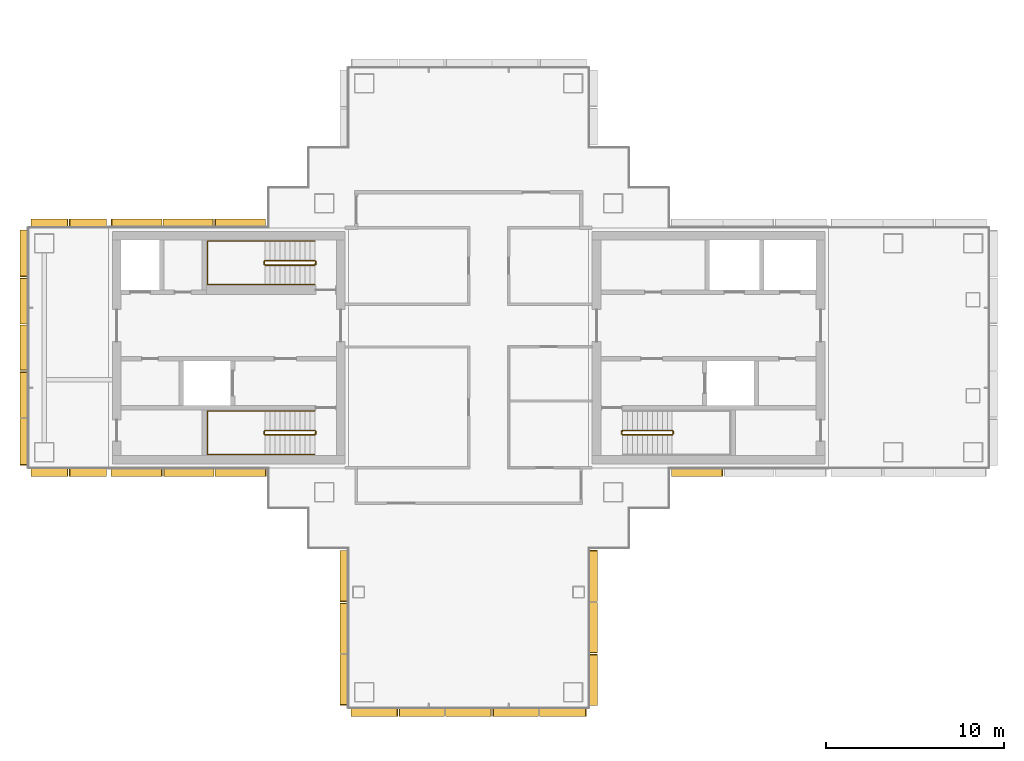
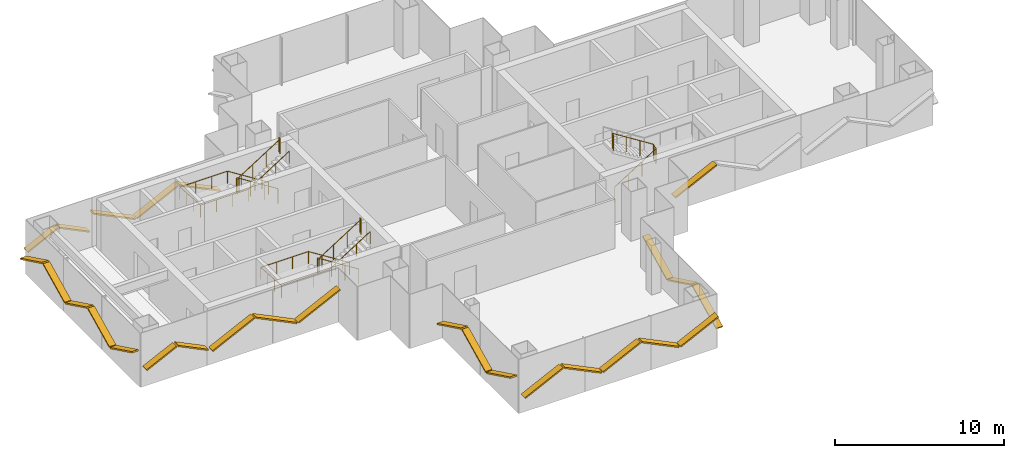
# One storey, part 14 of 16: 27 shading devices, 5 railings.
"""IFC4 building model written with IfcOpenShell, lengths in metres."""

from ifc_helpers import new_model, si_unit, direction, frame, origin, origin_2d, place, context, subcontext, project, spatial, rectangle, circle, extrude, material, material_profile, profile_set, type_object, element, save


model = new_model("IFC4")

# Units and contexts
model_context = context("Model", 3, precision=1e-05, world=origin(), true_north=direction((0.0, 1.0)))
body_context = subcontext(model_context, "Body", "Model", "MODEL_VIEW")
ifc_project = project(units=[si_unit("LENGTHUNIT", "METRE"), si_unit("AREAUNIT", "SQUARE_METRE"), si_unit("VOLUMEUNIT", "CUBIC_METRE"), si_unit("PLANEANGLEUNIT", "RADIAN"), si_unit("MASSUNIT", "GRAM", prefix="KILO")], contexts=[model_context])

# Site, building, storey
site_placement = place(None, origin())
site = spatial("IfcSite", under=ifc_project, at=site_placement, CompositionType="ELEMENT")
building_placement = place(site_placement, origin())
building = spatial("IfcBuilding", under=site, at=building_placement, Name="Shamsa Quay Exchange Towers", CompositionType="ELEMENT")
storey_placement = place(building_placement, frame((0.0, 0.0, 146.699951171875)))
storey = spatial("IfcBuildingStorey", under=building, at=storey_placement, Name="L34", CompositionType="ELEMENT", Elevation=146.699951171875)

# Shading devices
ifc_material_1 = material(Name="Aluminium EN AW-6063 T6, black anodised", Category="aluminium")
ifc_material_profile = material_profile(ifc_material_1, rectangle(XDim=0.449951171875, YDim=0.10009765625, at=origin_2d()), Name="FIN450x100")
ifc_profile_set = profile_set([ifc_material_profile], Name="Aluminium EN AW-6063 T6, black anodised")
shading_device_type = type_object("IfcShadingDeviceType", Name="FIN 450x100 BLACK ALUMINIUM", PredefinedType="USERDEFINED", material=ifc_profile_set)
shading_device_1_placement = place(storey_placement, frame((-40.764892578125, -11.43798828125, 0.908203125), z_axis=(0.0, -0.898807091918, 0.438344398296), x_axis=(1.0, 0.0, 0.0)))
element("IfcShadingDevice", 1, at=shading_device_1_placement, inside=storey, type_object=shading_device_type, Name="FIN T1 chevron rib", ObjectType="FIN", PredefinedType="USERDEFINED", context=body_context, shape_type="SweptSolid", body=[
    extrude(rectangle(XDim=0.449951171875, YDim=0.10009765625, at=origin_2d()), origin(), (0.0, 0.0, 1.0), 3.15673828125),
])
shading_device_2_placement = place(storey_placement, frame((-40.764892578125, -14.375244140625, 2.27978515625), z_axis=(0.0, -0.898807785805, -0.438342975507), x_axis=(1.0, 0.0, 0.0)))
element("IfcShadingDevice", 2, at=shading_device_2_placement, inside=storey, type_object=shading_device_type, Name="FIN T1 chevron rib", ObjectType="FIN", PredefinedType="USERDEFINED", context=body_context, shape_type="SweptSolid", body=[
    extrude(rectangle(XDim=0.449951171875, YDim=0.10009765625, at=origin_2d()), origin(), (0.0, 0.0, 1.0), 3.10107421875),
])
shading_device_3_placement = place(storey_placement, frame((-40.764892578125, -17.2626953125, 0.908203125), z_axis=(0.0, -0.898807091918, 0.438344398296), x_axis=(1.0, 0.0, 0.0)))
element("IfcShadingDevice", 3, at=shading_device_3_placement, inside=storey, type_object=shading_device_type, Name="FIN T1 chevron rib", ObjectType="FIN", PredefinedType="USERDEFINED", context=body_context, shape_type="SweptSolid", body=[
    extrude(rectangle(XDim=0.449951171875, YDim=0.10009765625, at=origin_2d()), origin(), (0.0, 0.0, 1.0), 3.15673828125),
])
shading_device_4_placement = place(storey_placement, frame((-40.35009765625, -20.514892578125, 0.968505859375), z_axis=(0.898805897141, 0.0, 0.43834684813), x_axis=(0.0, 1.0, 0.0)))
element("IfcShadingDevice", 4, at=shading_device_4_placement, inside=storey, type_object=shading_device_type, Name="FIN T1 chevron rib", ObjectType="FIN", PredefinedType="USERDEFINED", context=body_context, shape_type="SweptSolid", body=[
    extrude(rectangle(XDim=0.449951171875, YDim=0.10009765625, at=origin_2d()), origin(), (0.0, 0.0, 1.0), 2.881591796875),
])
shading_device_5_placement = place(storey_placement, frame((-37.659912109375, -20.514892578125, 2.219482421875), z_axis=(0.898790033474, 0.0, -0.438379374204), x_axis=(0.0, 1.0, 0.0)))
element("IfcShadingDevice", 5, at=shading_device_5_placement, inside=storey, type_object=shading_device_type, Name="FIN T1 chevron rib", ObjectType="FIN", PredefinedType="USERDEFINED", context=body_context, shape_type="SweptSolid", body=[
    extrude(rectangle(XDim=0.449951171875, YDim=0.10009765625, at=origin_2d()), origin(), (0.0, 0.0, 1.0), 2.82568359375),
])
shading_device_6_placement = place(storey_placement, frame((-35.02001953125, -20.514892578125, 0.980712890625), z_axis=(0.898806635049, 0.0, 0.438345335086), x_axis=(0.0, 1.0, 0.0)))
element("IfcShadingDevice", 6, at=shading_device_6_placement, inside=storey, type_object=shading_device_type, Name="FIN T1 chevron rib", ObjectType="FIN", PredefinedType="USERDEFINED", context=body_context, shape_type="SweptSolid", body=[
    extrude(rectangle(XDim=0.449951171875, YDim=0.10009765625, at=origin_2d()), origin(), (0.0, 0.0, 1.0), 2.825927734375),
])
shading_device_7_placement = place(storey_placement, frame((-32.3798828125, -20.514892578125, 2.219482421875), z_axis=(0.898790033474, 0.0, -0.438379374204), x_axis=(0.0, 1.0, 0.0)))
element("IfcShadingDevice", 7, at=shading_device_7_placement, inside=storey, type_object=shading_device_type, Name="FIN T1 chevron rib", ObjectType="FIN", PredefinedType="USERDEFINED", context=body_context, shape_type="SweptSolid", body=[
    extrude(rectangle(XDim=0.449951171875, YDim=0.10009765625, at=origin_2d()), origin(), (0.0, 0.0, 1.0), 2.82568359375),
])
shading_device_8_placement = place(storey_placement, frame((-29.739990234375, -20.514892578125, 0.968505859375), z_axis=(0.898805897141, 0.0, 0.43834684813), x_axis=(0.0, 1.0, 0.0)))
element("IfcShadingDevice", 8, at=shading_device_8_placement, inside=storey, type_object=shading_device_type, Name="FIN T1 chevron rib", ObjectType="FIN", PredefinedType="USERDEFINED", context=body_context, shape_type="SweptSolid", body=[
    extrude(rectangle(XDim=0.449951171875, YDim=0.10009765625, at=origin_2d()), origin(), (0.0, 0.0, 1.0), 2.881591796875),
])
shading_device_9_placement = place(storey_placement, frame((-26.735107421875, -20.10009765625, 0.905029296875), z_axis=(0.0, 0.898787683167, 0.438384192903), x_axis=(-1.0, 0.0, 0.0)))
element("IfcShadingDevice", 9, at=shading_device_9_placement, inside=storey, type_object=shading_device_type, Name="FIN T1 chevron rib", ObjectType="FIN", PredefinedType="USERDEFINED", context=body_context, shape_type="SweptSolid", body=[
    extrude(rectangle(XDim=0.449951171875, YDim=0.10009765625, at=origin_2d()), origin(), (0.0, 0.0, 1.0), 3.171142578125),
])
shading_device_10_placement = place(storey_placement, frame((-26.735107421875, -17.14990234375, 2.282958984375), z_axis=(0.0, 0.898772964899, -0.438414367427), x_axis=(-1.0, 0.0, 0.0)))
element("IfcShadingDevice", 10, at=shading_device_10_placement, inside=storey, type_object=shading_device_type, Name="FIN T1 chevron rib", ObjectType="FIN", PredefinedType="USERDEFINED", context=body_context, shape_type="SweptSolid", body=[
    extrude(rectangle(XDim=0.449951171875, YDim=0.10009765625, at=origin_2d()), origin(), (0.0, 0.0, 1.0), 3.115234375),
])
shading_device_11_placement = place(storey_placement, frame((-26.735107421875, -14.25, 0.905029296875), z_axis=(0.0, 0.898787683167, 0.438384192903), x_axis=(-1.0, 0.0, 0.0)))
element("IfcShadingDevice", 11, at=shading_device_11_placement, inside=storey, type_object=shading_device_type, Name="FIN T1 chevron rib", ObjectType="FIN", PredefinedType="USERDEFINED", context=body_context, shape_type="SweptSolid", body=[
    extrude(rectangle(XDim=0.449951171875, YDim=0.10009765625, at=origin_2d()), origin(), (0.0, 0.0, 1.0), 3.171142578125),
])
for number, where, z_axis, x_axis, name in (
    (12, (-22.31201171875, -7.01904296875, 0.908203125), (0.898807091918, 0.0, 0.438344398296), (0.0, 1.0, 0.0), "FIN T1 chevron rib"),
    (13, (-45.18798828125, 7.01904296875, 0.908203125), (-0.898807091918, 0.0, 0.438344398296), (0.0, -1.0, 0.0), "FIN T1 chevron rib"),
):
    element("IfcShadingDevice", number, at=place(storey_placement, frame(where, z_axis=z_axis, x_axis=x_axis)), inside=storey, type_object=shading_device_type, Name=name, ObjectType="FIN", PredefinedType="USERDEFINED", context=body_context, shape_type="SweptSolid", body=[
        extrude(rectangle(XDim=0.449951171875, YDim=0.10009765625, at=origin_2d()), origin(), (0.0, 0.0, 1.0), 3.15673828125),
    ])
shading_device_12_placement = place(storey_placement, frame((-48.125244140625, 7.01904296875, 2.27978515625), z_axis=(-0.898807785805, 0.0, -0.438342975507), x_axis=(0.0, -1.0, 0.0)))
element("IfcShadingDevice", 14, at=shading_device_12_placement, inside=storey, type_object=shading_device_type, Name="FIN T1 chevron rib", ObjectType="FIN", PredefinedType="USERDEFINED", context=body_context, shape_type="SweptSolid", body=[
    extrude(rectangle(XDim=0.449951171875, YDim=0.10009765625, at=origin_2d()), origin(), (0.0, 0.0, 1.0), 3.10107421875),
])
shading_device_13_placement = place(storey_placement, frame((-51.0126953125, 7.01904296875, 0.908203125), z_axis=(-0.898807091918, 0.0, 0.438344398296), x_axis=(0.0, -1.0, 0.0)))
element("IfcShadingDevice", 15, at=shading_device_13_placement, inside=storey, type_object=shading_device_type, Name="FIN T1 chevron rib", ObjectType="FIN", PredefinedType="USERDEFINED", context=body_context, shape_type="SweptSolid", body=[
    extrude(rectangle(XDim=0.449951171875, YDim=0.10009765625, at=origin_2d()), origin(), (0.0, 0.0, 1.0), 3.15673828125),
])
for number, where, z_axis, x_axis, name in (
    (16, (-54.14990234375, 7.014892578125, 1.10009765625), (-0.898814733754, 0.0, 0.43832872868), (0.0, -1.0, 0.0), "FIN T1 chevron rib"),
    (17, (-56.300048828125, 7.014892578125, 2.099853515625), (-0.898814733754, 0.0, -0.43832872868), (0.0, -1.0, 0.0), "FIN T1 chevron rib"),
):
    element("IfcShadingDevice", number, at=place(storey_placement, frame(where, z_axis=z_axis, x_axis=x_axis)), inside=storey, type_object=shading_device_type, Name=name, ObjectType="FIN", PredefinedType="USERDEFINED", context=body_context, shape_type="SweptSolid", body=[
        extrude(rectangle(XDim=0.449951171875, YDim=0.10009765625, at=origin_2d()), origin(), (0.0, 0.0, 1.0), 2.28076171875),
    ])
shading_device_14_placement = place(storey_placement, frame((-58.764892578125, 6.60009765625, 0.968505859375), z_axis=(0.0, -0.898805897141, 0.43834684813), x_axis=(1.0, 0.0, 0.0)))
element("IfcShadingDevice", 18, at=shading_device_14_placement, inside=storey, type_object=shading_device_type, Name="FIN T1 chevron rib", ObjectType="FIN", PredefinedType="USERDEFINED", context=body_context, shape_type="SweptSolid", body=[
    extrude(rectangle(XDim=0.449951171875, YDim=0.10009765625, at=origin_2d()), origin(), (0.0, 0.0, 1.0), 2.881591796875),
])
shading_device_15_placement = place(storey_placement, frame((-58.764892578125, 3.909912109375, 2.219482421875), z_axis=(0.0, -0.898790033474, -0.438379374204), x_axis=(1.0, 0.0, 0.0)))
element("IfcShadingDevice", 19, at=shading_device_15_placement, inside=storey, type_object=shading_device_type, Name="FIN T1 chevron rib", ObjectType="FIN", PredefinedType="USERDEFINED", context=body_context, shape_type="SweptSolid", body=[
    extrude(rectangle(XDim=0.449951171875, YDim=0.10009765625, at=origin_2d()), origin(), (0.0, 0.0, 1.0), 2.82568359375),
])
shading_device_16_placement = place(storey_placement, frame((-58.764892578125, 1.27001953125, 0.980712890625), z_axis=(0.0, -0.898806635049, 0.438345335086), x_axis=(1.0, 0.0, 0.0)))
element("IfcShadingDevice", 20, at=shading_device_16_placement, inside=storey, type_object=shading_device_type, Name="FIN T1 chevron rib", ObjectType="FIN", PredefinedType="USERDEFINED", context=body_context, shape_type="SweptSolid", body=[
    extrude(rectangle(XDim=0.449951171875, YDim=0.10009765625, at=origin_2d()), origin(), (0.0, 0.0, 1.0), 2.825927734375),
])
shading_device_17_placement = place(storey_placement, frame((-58.764892578125, -1.3701171875, 2.219482421875), z_axis=(0.0, -0.898790033474, -0.438379374204), x_axis=(1.0, 0.0, 0.0)))
element("IfcShadingDevice", 21, at=shading_device_17_placement, inside=storey, type_object=shading_device_type, Name="FIN T1 chevron rib", ObjectType="FIN", PredefinedType="USERDEFINED", context=body_context, shape_type="SweptSolid", body=[
    extrude(rectangle(XDim=0.449951171875, YDim=0.10009765625, at=origin_2d()), origin(), (0.0, 0.0, 1.0), 2.82568359375),
])
shading_device_18_placement = place(storey_placement, frame((-58.764892578125, -4.010009765625, 0.968505859375), z_axis=(0.0, -0.898805897141, 0.43834684813), x_axis=(1.0, 0.0, 0.0)))
element("IfcShadingDevice", 22, at=shading_device_18_placement, inside=storey, type_object=shading_device_type, Name="FIN T1 chevron rib", ObjectType="FIN", PredefinedType="USERDEFINED", context=body_context, shape_type="SweptSolid", body=[
    extrude(rectangle(XDim=0.449951171875, YDim=0.10009765625, at=origin_2d()), origin(), (0.0, 0.0, 1.0), 2.881591796875),
])
for number, where, z_axis, x_axis, name in (
    (23, (-58.35009765625, -7.014892578125, 1.10009765625), (0.898814733754, 0.0, 0.43832872868), (0.0, 1.0, 0.0), "FIN T1 chevron rib"),
    (24, (-56.199951171875, -7.014892578125, 2.099853515625), (0.898814733754, 0.0, -0.43832872868), (0.0, 1.0, 0.0), "FIN T1 chevron rib"),
):
    element("IfcShadingDevice", number, at=place(storey_placement, frame(where, z_axis=z_axis, x_axis=x_axis)), inside=storey, type_object=shading_device_type, Name=name, ObjectType="FIN", PredefinedType="USERDEFINED", context=body_context, shape_type="SweptSolid", body=[
        extrude(rectangle(XDim=0.449951171875, YDim=0.10009765625, at=origin_2d()), origin(), (0.0, 0.0, 1.0), 2.28076171875),
    ])
shading_device_19_placement = place(storey_placement, frame((-53.85009765625, -7.01904296875, 0.905029296875), z_axis=(0.898787683167, 0.0, 0.438384192903), x_axis=(0.0, 1.0, 0.0)))
element("IfcShadingDevice", 25, at=shading_device_19_placement, inside=storey, type_object=shading_device_type, Name="FIN T1 chevron rib", ObjectType="FIN", PredefinedType="USERDEFINED", context=body_context, shape_type="SweptSolid", body=[
    extrude(rectangle(XDim=0.449951171875, YDim=0.10009765625, at=origin_2d()), origin(), (0.0, 0.0, 1.0), 3.171142578125),
])
shading_device_20_placement = place(storey_placement, frame((-50.89990234375, -7.01904296875, 2.282958984375), z_axis=(0.898772964899, 0.0, -0.438414367427), x_axis=(0.0, 1.0, 0.0)))
element("IfcShadingDevice", 26, at=shading_device_20_placement, inside=storey, type_object=shading_device_type, Name="FIN T1 chevron rib", ObjectType="FIN", PredefinedType="USERDEFINED", context=body_context, shape_type="SweptSolid", body=[
    extrude(rectangle(XDim=0.449951171875, YDim=0.10009765625, at=origin_2d()), origin(), (0.0, 0.0, 1.0), 3.115234375),
])
shading_device_21_placement = place(storey_placement, frame((-48.0, -7.01904296875, 0.905029296875), z_axis=(0.898787683167, 0.0, 0.438384192903), x_axis=(0.0, 1.0, 0.0)))
element("IfcShadingDevice", 27, at=shading_device_21_placement, inside=storey, type_object=shading_device_type, Name="FIN T1 chevron rib", ObjectType="FIN", PredefinedType="USERDEFINED", context=body_context, shape_type="SweptSolid", body=[
    extrude(rectangle(XDim=0.449951171875, YDim=0.10009765625, at=origin_2d()), origin(), (0.0, 0.0, 1.0), 3.171142578125),
])

# Railings
ifc_material_2 = material(Name="Stainless steel", Category="steel")
railing_type_1 = type_object("IfcRailingType", Name="STAIR GUARD 1100", PredefinedType="GUARDRAIL", material=ifc_material_2)
railing_1_placement = place(storey_placement, frame((-25.10009765625, -4.89990234375, 0.17724609375)))
element("IfcRailing", 28, at=railing_1_placement, inside=storey, type_object=railing_type_1, Name="L34 ST1 stair guard 1", PredefinedType="GUARDRAIL", context=body_context, shape_type="SweptSolid", body=[
    extrude(circle(Radius=0.02392578125, at=origin_2d()), frame((0.0, 0.0, 1.076171875), z_axis=(0.844908973607, 0.0, 0.534910110503), x_axis=(0.0, 1.0, 0.0)), (0.0, 0.0, 1.0), 3.31396484375),
    extrude(circle(Radius=0.02392578125, at=origin_2d()), frame((2.800048828125, 0.0, 2.8486328125), z_axis=(0.708833529934, 0.705375805398, 0.0), x_axis=(-0.705375805398, 0.708833529934, 0.0)), (0.0, 0.0, 1.0), 0.070556640625),
    extrude(circle(Radius=0.02392578125, at=origin_2d()), frame((2.85009765625, 0.0498046875, 2.8486328125), z_axis=(0.0, 1.0, 0.0), x_axis=(-1.0, 0.0, 0.0)), (0.0, 0.0, 1.0), 0.150146484375),
    extrude(circle(Radius=0.02392578125, at=origin_2d()), frame((2.85009765625, 0.199951171875, 2.8486328125), z_axis=(-0.261922500866, 0.261922500866, 0.928866625022), x_axis=(-0.707106781187, -0.707106781187, 0.0)), (0.0, 0.0, 1.0), 0.191162109375),
    extrude(circle(Radius=0.02392578125, at=origin_2d()), frame((2.800048828125, 0.25, 3.0263671875), z_axis=(-0.844908973607, 0.0, 0.534910110503), x_axis=(0.0, -1.0, 0.0)), (0.0, 0.0, 1.0), 3.31396484375),
    extrude(circle(Radius=0.02392578125, at=origin_2d()), frame((0.0, 0.25, 4.798828125), z_axis=(-0.24142163986, -0.970420317083, 0.0), x_axis=(0.970420317083, -0.24142163986, 0.0)), (0.0, 0.0, 1.0), 0.206298828125),
    extrude(circle(Radius=0.02392578125, at=origin_2d()), frame((-0.0498046875, 0.0498046875, 4.798828125), z_axis=(0.0, 1.0, 0.0), x_axis=(-1.0, 0.0, 0.0)), (0.0, 0.0, 1.0), 0.150146484375),
    extrude(circle(Radius=0.02099609375, at=origin_2d()), origin(), (0.0, 0.0, 1.0), 1.052001953125),
    extrude(circle(Radius=0.02099609375, at=origin_2d()), frame((0.933349609375, 0.0, 0.5908203125)), (0.0, 0.0, 1.0), 1.052001953125),
    extrude(circle(Radius=0.02099609375, at=origin_2d()), frame((1.86669921875, 0.0, 1.181884765625)), (0.0, 0.0, 1.0), 1.052001953125),
    extrude(circle(Radius=0.02099609375, at=origin_2d()), frame((2.800048828125, 0.0, 1.772705078125)), (0.0, 0.0, 1.0), 1.052001953125),
    extrude(circle(Radius=0.02099609375, at=origin_2d()), frame((2.85009765625, 0.0498046875, 1.772705078125)), (0.0, 0.0, 1.0), 1.052001953125),
    extrude(circle(Radius=0.02099609375, at=origin_2d()), frame((2.85009765625, 0.199951171875, 1.772705078125)), (0.0, 0.0, 1.0), 1.052001953125),
    extrude(circle(Radius=0.02099609375, at=origin_2d()), frame((2.800048828125, 0.25, 1.9501953125)), (0.0, 0.0, 1.0), 1.052001953125),
    extrude(circle(Radius=0.02099609375, at=origin_2d()), frame((1.86669921875, 0.25, 2.541015625)), (0.0, 0.0, 1.0), 1.052001953125),
    extrude(circle(Radius=0.02099609375, at=origin_2d()), frame((0.933349609375, 0.25, 3.132080078125)), (0.0, 0.0, 1.0), 1.052001953125),
    extrude(circle(Radius=0.02099609375, at=origin_2d()), frame((0.0, 0.25, 3.722900390625)), (0.0, 0.0, 1.0), 1.052001953125),
    extrude(circle(Radius=0.02099609375, at=origin_2d()), frame((-0.0498046875, 0.0498046875, 3.722900390625)), (0.0, 0.0, 1.0), 1.052001953125),
    extrude(circle(Radius=0.02099609375, at=origin_2d()), frame((-0.0498046875, 0.199951171875, 3.722900390625)), (0.0, 0.0, 1.0), 1.052001953125),
])
railing_2_placement = place(storey_placement, frame((-42.39990234375, -4.64990234375, 0.17724609375)))
element("IfcRailing", 29, at=railing_2_placement, inside=storey, type_object=railing_type_1, Name="L34 ST2 stair guard 1", PredefinedType="GUARDRAIL", context=body_context, shape_type="SweptSolid", body=[
    extrude(circle(Radius=0.02392578125, at=origin_2d()), frame((0.0, 0.0, 1.076171875), z_axis=(-0.844908973607, 0.0, 0.534910110503), x_axis=(0.0, -1.0, 0.0)), (0.0, 0.0, 1.0), 3.31396484375),
    extrude(circle(Radius=0.02392578125, at=origin_2d()), frame((-2.800048828125, 0.0, 2.8486328125), z_axis=(-0.707106781187, -0.707106781187, 0.0), x_axis=(0.707106781187, -0.707106781187, 0.0)), (0.0, 0.0, 1.0), 0.07080078125),
    extrude(circle(Radius=0.02392578125, at=origin_2d()), frame((-2.85009765625, -0.050048828125, 2.8486328125), z_axis=(0.0, -1.0, 0.0), x_axis=(1.0, 0.0, 0.0)), (0.0, 0.0, 1.0), 0.150146484375),
    extrude(circle(Radius=0.02392578125, at=origin_2d()), frame((-2.85009765625, -0.2001953125, 2.8486328125), z_axis=(0.262009983441, -0.260731885961, 0.929176868105), x_axis=(0.705375805398, 0.708833529934, 0.0)), (0.0, 0.0, 1.0), 0.19091796875),
    extrude(circle(Radius=0.02392578125, at=origin_2d()), frame((-2.800048828125, -0.25, 3.0263671875), z_axis=(0.844908973607, 0.0, 0.534910110503), x_axis=(0.0, 1.0, 0.0)), (0.0, 0.0, 1.0), 3.31396484375),
    extrude(circle(Radius=0.02392578125, at=origin_2d()), frame((0.0, -0.25, 4.798828125), z_axis=(0.241699205484, 0.970351222016, 0.0), x_axis=(-0.970351222016, 0.241699205484, 0.0)), (0.0, 0.0, 1.0), 0.2060546875),
    extrude(circle(Radius=0.02392578125, at=origin_2d()), frame((0.0498046875, -0.050048828125, 4.798828125), z_axis=(0.0, -1.0, 0.0), x_axis=(1.0, 0.0, 0.0)), (0.0, 0.0, 1.0), 0.150146484375),
    extrude(circle(Radius=0.02099609375, at=origin_2d()), origin(), (0.0, 0.0, 1.0), 1.052001953125),
    extrude(circle(Radius=0.02099609375, at=origin_2d()), frame((-0.933349609375, 0.0, 0.5908203125)), (0.0, 0.0, 1.0), 1.052001953125),
    extrude(circle(Radius=0.02099609375, at=origin_2d()), frame((-1.86669921875, 0.0, 1.181884765625)), (0.0, 0.0, 1.0), 1.052001953125),
    extrude(circle(Radius=0.02099609375, at=origin_2d()), frame((-2.800048828125, 0.0, 1.772705078125)), (0.0, 0.0, 1.0), 1.052001953125),
    extrude(circle(Radius=0.02099609375, at=origin_2d()), frame((-2.85009765625, -0.050048828125, 1.772705078125)), (0.0, 0.0, 1.0), 1.052001953125),
    extrude(circle(Radius=0.02099609375, at=origin_2d()), frame((-2.85009765625, -0.2001953125, 1.772705078125)), (0.0, 0.0, 1.0), 1.052001953125),
    extrude(circle(Radius=0.02099609375, at=origin_2d()), frame((-2.800048828125, -0.25, 1.9501953125)), (0.0, 0.0, 1.0), 1.052001953125),
    extrude(circle(Radius=0.02099609375, at=origin_2d()), frame((-1.86669921875, -0.25, 2.541015625)), (0.0, 0.0, 1.0), 1.052001953125),
    extrude(circle(Radius=0.02099609375, at=origin_2d()), frame((-0.933349609375, -0.25, 3.132080078125)), (0.0, 0.0, 1.0), 1.052001953125),
    extrude(circle(Radius=0.02099609375, at=origin_2d()), frame((0.0, -0.25, 3.722900390625)), (0.0, 0.0, 1.0), 1.052001953125),
    extrude(circle(Radius=0.02099609375, at=origin_2d()), frame((0.0498046875, -0.050048828125, 3.722900390625)), (0.0, 0.0, 1.0), 1.052001953125),
    extrude(circle(Radius=0.02099609375, at=origin_2d()), frame((0.0498046875, -0.2001953125, 3.722900390625)), (0.0, 0.0, 1.0), 1.052001953125),
])
railing_3_placement = place(storey_placement, frame((-42.39990234375, 4.89990234375, 0.17724609375)))
element("IfcRailing", 30, at=railing_3_placement, inside=storey, type_object=railing_type_1, Name="L34 ST3 stair guard 1", PredefinedType="GUARDRAIL", context=body_context, shape_type="SweptSolid", body=[
    extrude(circle(Radius=0.02392578125, at=origin_2d()), frame((0.0, 0.0, 1.076171875), z_axis=(-0.844908973607, 0.0, 0.534910110503), x_axis=(0.0, -1.0, 0.0)), (0.0, 0.0, 1.0), 3.31396484375),
    extrude(circle(Radius=0.02392578125, at=origin_2d()), frame((-2.800048828125, 0.0, 2.8486328125), z_axis=(-0.708833529934, -0.705375805398, 0.0), x_axis=(0.705375805398, -0.708833529934, 0.0)), (0.0, 0.0, 1.0), 0.070556640625),
    extrude(circle(Radius=0.02392578125, at=origin_2d()), frame((-2.85009765625, -0.0498046875, 2.8486328125), z_axis=(0.0, -1.0, 0.0), x_axis=(1.0, 0.0, 0.0)), (0.0, 0.0, 1.0), 0.150146484375),
    extrude(circle(Radius=0.02392578125, at=origin_2d()), frame((-2.85009765625, -0.199951171875, 2.8486328125), z_axis=(0.261922500866, -0.261922500866, 0.928866625022), x_axis=(0.707106781187, 0.707106781187, 0.0)), (0.0, 0.0, 1.0), 0.191162109375),
    extrude(circle(Radius=0.02392578125, at=origin_2d()), frame((-2.800048828125, -0.25, 3.0263671875), z_axis=(0.844908973607, 0.0, 0.534910110503), x_axis=(0.0, 1.0, 0.0)), (0.0, 0.0, 1.0), 3.31396484375),
    extrude(circle(Radius=0.02392578125, at=origin_2d()), frame((0.0, -0.25, 4.798828125), z_axis=(0.24142163986, 0.970420317083, 0.0), x_axis=(-0.970420317083, 0.24142163986, 0.0)), (0.0, 0.0, 1.0), 0.206298828125),
    extrude(circle(Radius=0.02392578125, at=origin_2d()), frame((0.0498046875, -0.0498046875, 4.798828125), z_axis=(0.0, -1.0, 0.0), x_axis=(1.0, 0.0, 0.0)), (0.0, 0.0, 1.0), 0.150146484375),
    extrude(circle(Radius=0.02099609375, at=origin_2d()), origin(), (0.0, 0.0, 1.0), 1.052001953125),
    extrude(circle(Radius=0.02099609375, at=origin_2d()), frame((-0.933349609375, 0.0, 0.5908203125)), (0.0, 0.0, 1.0), 1.052001953125),
    extrude(circle(Radius=0.02099609375, at=origin_2d()), frame((-1.86669921875, 0.0, 1.181884765625)), (0.0, 0.0, 1.0), 1.052001953125),
    extrude(circle(Radius=0.02099609375, at=origin_2d()), frame((-2.800048828125, 0.0, 1.772705078125)), (0.0, 0.0, 1.0), 1.052001953125),
    extrude(circle(Radius=0.02099609375, at=origin_2d()), frame((-2.85009765625, -0.0498046875, 1.772705078125)), (0.0, 0.0, 1.0), 1.052001953125),
    extrude(circle(Radius=0.02099609375, at=origin_2d()), frame((-2.85009765625, -0.199951171875, 1.772705078125)), (0.0, 0.0, 1.0), 1.052001953125),
    extrude(circle(Radius=0.02099609375, at=origin_2d()), frame((-2.800048828125, -0.25, 1.9501953125)), (0.0, 0.0, 1.0), 1.052001953125),
    extrude(circle(Radius=0.02099609375, at=origin_2d()), frame((-1.86669921875, -0.25, 2.541015625)), (0.0, 0.0, 1.0), 1.052001953125),
    extrude(circle(Radius=0.02099609375, at=origin_2d()), frame((-0.933349609375, -0.25, 3.132080078125)), (0.0, 0.0, 1.0), 1.052001953125),
    extrude(circle(Radius=0.02099609375, at=origin_2d()), frame((0.0, -0.25, 3.722900390625)), (0.0, 0.0, 1.0), 1.052001953125),
    extrude(circle(Radius=0.02099609375, at=origin_2d()), frame((0.0498046875, -0.0498046875, 3.722900390625)), (0.0, 0.0, 1.0), 1.052001953125),
    extrude(circle(Radius=0.02099609375, at=origin_2d()), frame((0.0498046875, -0.199951171875, 3.722900390625)), (0.0, 0.0, 1.0), 1.052001953125),
])
railing_type_2 = type_object("IfcRailingType", Name="STAIR HANDRAIL 900", PredefinedType="HANDRAIL", material=ifc_material_2)
railing_4_placement = place(storey_placement, frame((-42.39990234375, -3.550048828125, 0.17724609375)))
element("IfcRailing", 31, at=railing_4_placement, inside=storey, type_object=railing_type_2, Name="L34 ST2 stair handrail 1", PredefinedType="HANDRAIL", context=body_context, shape_type="SweptSolid", body=[
    extrude(circle(Radius=0.02392578125, at=origin_2d()), frame((0.0, 0.0, 0.8759765625), z_axis=(-0.844908973607, 0.0, 0.534910110503), x_axis=(0.0, -1.0, 0.0)), (0.0, 0.0, 1.0), 3.31396484375),
    extrude(circle(Radius=0.02392578125, at=origin_2d()), frame((-2.800048828125, 0.0, 2.6484375), z_axis=(-1.0, 0.0, 0.0), x_axis=(0.0, -1.0, 0.0)), (0.0, 0.0, 1.0), 3.25),
    extrude(circle(Radius=0.02392578125, at=origin_2d()), frame((-6.050048828125, 0.0, 2.6484375), z_axis=(0.0, -0.997386041853, 0.072257065513), x_axis=(1.0, 0.0, 0.0)), (0.0, 0.0, 1.0), 2.456298828125),
    extrude(circle(Radius=0.02392578125, at=origin_2d()), frame((-6.050048828125, -2.449951171875, 2.826171875), z_axis=(1.0, 0.0, 0.0), x_axis=(0.0, 1.0, 0.0)), (0.0, 0.0, 1.0), 3.25),
    extrude(circle(Radius=0.02392578125, at=origin_2d()), frame((-2.800048828125, -2.449951171875, 2.826171875), z_axis=(0.844908973607, 0.0, 0.534910110503), x_axis=(0.0, 1.0, 0.0)), (0.0, 0.0, 1.0), 3.31396484375),
    extrude(circle(Radius=0.02099609375, at=origin_2d()), origin(), (0.0, 0.0, 1.0), 0.851806640625),
    extrude(circle(Radius=0.02099609375, at=origin_2d()), frame((-0.933349609375, 0.0, 0.5908203125)), (0.0, 0.0, 1.0), 0.851806640625),
    extrude(circle(Radius=0.02099609375, at=origin_2d()), frame((-1.86669921875, 0.0, 1.181884765625)), (0.0, 0.0, 1.0), 0.851806640625),
    extrude(circle(Radius=0.02099609375, at=origin_2d()), frame((-2.800048828125, 0.0, 1.772705078125)), (0.0, 0.0, 1.0), 0.851806640625),
    extrude(circle(Radius=0.02099609375, at=origin_2d()), frame((-3.88330078125, 0.0, 1.772705078125)), (0.0, 0.0, 1.0), 0.851806640625),
    extrude(circle(Radius=0.02099609375, at=origin_2d()), frame((-4.966796875, 0.0, 1.772705078125)), (0.0, 0.0, 1.0), 0.851806640625),
    extrude(circle(Radius=0.02099609375, at=origin_2d()), frame((-6.050048828125, 0.0, 1.772705078125)), (0.0, 0.0, 1.0), 0.851806640625),
    extrude(circle(Radius=0.02099609375, at=origin_2d()), frame((-6.050048828125, -0.816650390625, 1.831787109375)), (0.0, 0.0, 1.0), 0.851806640625),
    extrude(circle(Radius=0.02099609375, at=origin_2d()), frame((-6.050048828125, -1.63330078125, 1.89111328125)), (0.0, 0.0, 1.0), 0.851806640625),
    extrude(circle(Radius=0.02099609375, at=origin_2d()), frame((-6.050048828125, -2.449951171875, 1.9501953125)), (0.0, 0.0, 1.0), 0.851806640625),
    extrude(circle(Radius=0.02099609375, at=origin_2d()), frame((-4.966796875, -2.449951171875, 1.9501953125)), (0.0, 0.0, 1.0), 0.851806640625),
    extrude(circle(Radius=0.02099609375, at=origin_2d()), frame((-3.88330078125, -2.449951171875, 1.9501953125)), (0.0, 0.0, 1.0), 0.851806640625),
    extrude(circle(Radius=0.02099609375, at=origin_2d()), frame((-2.800048828125, -2.449951171875, 1.9501953125)), (0.0, 0.0, 1.0), 0.851806640625),
    extrude(circle(Radius=0.02099609375, at=origin_2d()), frame((-1.86669921875, -2.449951171875, 2.541015625)), (0.0, 0.0, 1.0), 0.851806640625),
    extrude(circle(Radius=0.02099609375, at=origin_2d()), frame((-0.933349609375, -2.449951171875, 3.132080078125)), (0.0, 0.0, 1.0), 0.851806640625),
    extrude(circle(Radius=0.02099609375, at=origin_2d()), frame((0.0, -2.449951171875, 3.722900390625)), (0.0, 0.0, 1.0), 0.851806640625),
])
railing_5_placement = place(storey_placement, frame((-42.39990234375, 6.0, 0.17724609375)))
element("IfcRailing", 32, at=railing_5_placement, inside=storey, type_object=railing_type_2, Name="L34 ST3 stair handrail 1", PredefinedType="HANDRAIL", context=body_context, shape_type="SweptSolid", body=[
    extrude(circle(Radius=0.02392578125, at=origin_2d()), frame((0.0, 0.0, 0.8759765625), z_axis=(-0.844908973607, 0.0, 0.534910110503), x_axis=(0.0, -1.0, 0.0)), (0.0, 0.0, 1.0), 3.31396484375),
    extrude(circle(Radius=0.02392578125, at=origin_2d()), frame((-2.800048828125, 0.0, 2.6484375), z_axis=(-1.0, 0.0, 0.0), x_axis=(0.0, -1.0, 0.0)), (0.0, 0.0, 1.0), 3.25),
    extrude(circle(Radius=0.02392578125, at=origin_2d()), frame((-6.050048828125, 0.0, 2.6484375), z_axis=(0.0, -0.997386041853, 0.072257065513), x_axis=(1.0, 0.0, 0.0)), (0.0, 0.0, 1.0), 2.456298828125),
    extrude(circle(Radius=0.02392578125, at=origin_2d()), frame((-6.050048828125, -2.449951171875, 2.826171875), z_axis=(1.0, 0.0, 0.0), x_axis=(0.0, 1.0, 0.0)), (0.0, 0.0, 1.0), 3.25),
    extrude(circle(Radius=0.02392578125, at=origin_2d()), frame((-2.800048828125, -2.449951171875, 2.826171875), z_axis=(0.844908973607, 0.0, 0.534910110503), x_axis=(0.0, 1.0, 0.0)), (0.0, 0.0, 1.0), 3.31396484375),
    extrude(circle(Radius=0.02099609375, at=origin_2d()), origin(), (0.0, 0.0, 1.0), 0.851806640625),
    extrude(circle(Radius=0.02099609375, at=origin_2d()), frame((-0.933349609375, 0.0, 0.5908203125)), (0.0, 0.0, 1.0), 0.851806640625),
    extrude(circle(Radius=0.02099609375, at=origin_2d()), frame((-1.86669921875, 0.0, 1.181884765625)), (0.0, 0.0, 1.0), 0.851806640625),
    extrude(circle(Radius=0.02099609375, at=origin_2d()), frame((-2.800048828125, 0.0, 1.772705078125)), (0.0, 0.0, 1.0), 0.851806640625),
    extrude(circle(Radius=0.02099609375, at=origin_2d()), frame((-3.88330078125, 0.0, 1.772705078125)), (0.0, 0.0, 1.0), 0.851806640625),
    extrude(circle(Radius=0.02099609375, at=origin_2d()), frame((-4.966796875, 0.0, 1.772705078125)), (0.0, 0.0, 1.0), 0.851806640625),
    extrude(circle(Radius=0.02099609375, at=origin_2d()), frame((-6.050048828125, 0.0, 1.772705078125)), (0.0, 0.0, 1.0), 0.851806640625),
    extrude(circle(Radius=0.02099609375, at=origin_2d()), frame((-6.050048828125, -0.816650390625, 1.831787109375)), (0.0, 0.0, 1.0), 0.851806640625),
    extrude(circle(Radius=0.02099609375, at=origin_2d()), frame((-6.050048828125, -1.63330078125, 1.89111328125)), (0.0, 0.0, 1.0), 0.851806640625),
    extrude(circle(Radius=0.02099609375, at=origin_2d()), frame((-6.050048828125, -2.449951171875, 1.9501953125)), (0.0, 0.0, 1.0), 0.851806640625),
    extrude(circle(Radius=0.02099609375, at=origin_2d()), frame((-4.966796875, -2.449951171875, 1.9501953125)), (0.0, 0.0, 1.0), 0.851806640625),
    extrude(circle(Radius=0.02099609375, at=origin_2d()), frame((-3.88330078125, -2.449951171875, 1.9501953125)), (0.0, 0.0, 1.0), 0.851806640625),
    extrude(circle(Radius=0.02099609375, at=origin_2d()), frame((-2.800048828125, -2.449951171875, 1.9501953125)), (0.0, 0.0, 1.0), 0.851806640625),
    extrude(circle(Radius=0.02099609375, at=origin_2d()), frame((-1.86669921875, -2.449951171875, 2.541015625)), (0.0, 0.0, 1.0), 0.851806640625),
    extrude(circle(Radius=0.02099609375, at=origin_2d()), frame((-0.933349609375, -2.449951171875, 3.132080078125)), (0.0, 0.0, 1.0), 0.851806640625),
    extrude(circle(Radius=0.02099609375, at=origin_2d()), frame((0.0, -2.449951171875, 3.722900390625)), (0.0, 0.0, 1.0), 0.851806640625),
])

save(model, "model.ifc")
